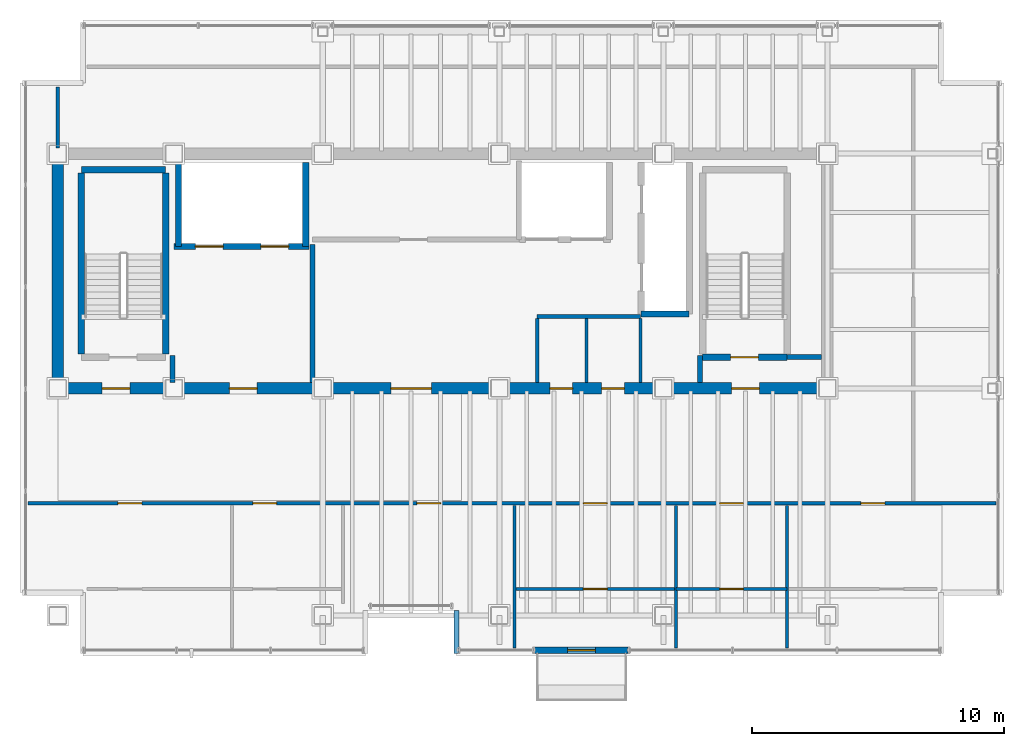
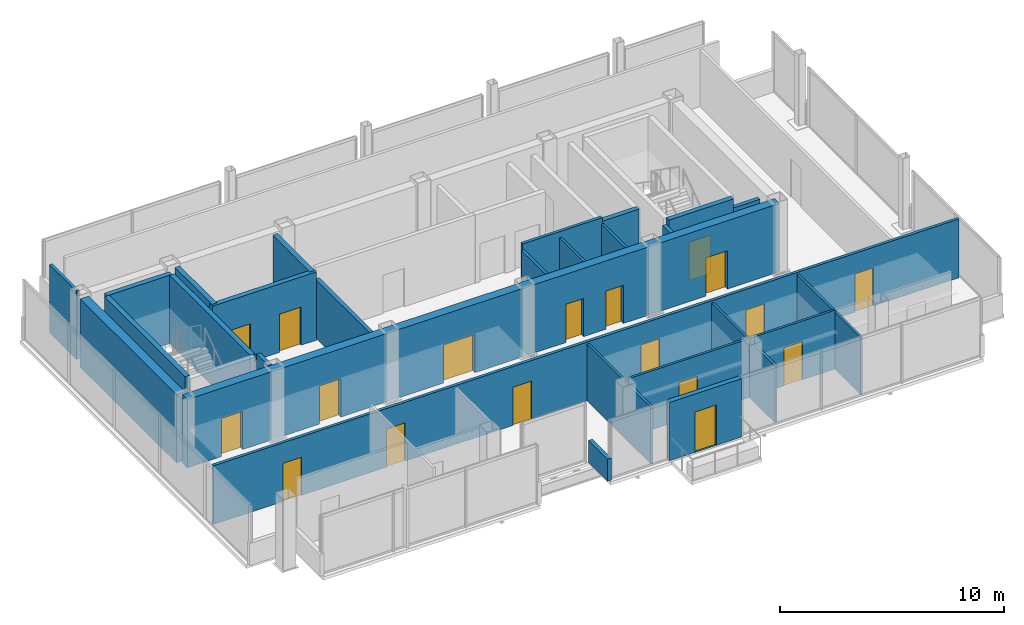
# One storey, part 14 of 17: 27 walls, 18 doors, 18 openings.
"""IFC4 building model written with IfcOpenShell, lengths in metres."""

from ifc_helpers import new_model, si_unit, direction, frame, frame_2d, origin, place, context, subcontext, project, spatial, rectangle, extrude, material, layer, layer_set, type_object, element, fill, save


model = new_model("IFC4")

# Units and contexts
model_context = context("Model", 3, precision=1e-05, world=origin(), true_north=direction((0.0, 1.0)))
body_context = subcontext(model_context, "Body", "Model", "MODEL_VIEW")
ifc_project = project(units=[si_unit("LENGTHUNIT", "METRE"), si_unit("AREAUNIT", "SQUARE_METRE"), si_unit("VOLUMEUNIT", "CUBIC_METRE"), si_unit("PLANEANGLEUNIT", "RADIAN"), si_unit("MASSUNIT", "GRAM", prefix="KILO")], contexts=[model_context])

# Site, building, storey
site_placement = place(None, origin())
site = spatial("IfcSite", under=ifc_project, at=site_placement, CompositionType="ELEMENT")
building_placement = place(site_placement, origin())
building = spatial("IfcBuilding", under=site, at=building_placement, Name="Noeulbin Bourse Tower", CompositionType="ELEMENT")
storey_placement = place(building_placement, frame((0.0, 0.0, 293.0)))
storey = spatial("IfcBuildingStorey", under=building, at=storey_placement, Name="L73", CompositionType="ELEMENT", Elevation=293.0)

# Wall, openings, doors
ifc_material_1 = material(Name="Concrete C50/60", Category="concrete")
ifc_layer_1 = layer(ifc_material_1, 0.449951171875)
ifc_layer_set_1 = layer_set([ifc_layer_1], Name="Concrete C50/60")
wall_type_1 = type_object("IfcWallType", Name="WAL-CORE-450", PredefinedType="SHEAR", material=ifc_layer_set_1)
wall_1_placement = place(storey_placement, frame((13.5, 29.0, 0.0), z_axis=(0.0, 0.0, 1.0), x_axis=(1.0, 0.0, 0.0)))
wall_1 = element("IfcWall", 1, at=wall_1_placement, inside=storey, type_object=wall_type_1, Name="Rear Core South Shear Wall L73", PredefinedType="SHEAR", context=body_context, shape_type="SweptSolid", body=[
    extrude(rectangle(XDim=30.5, YDim=0.449951171875, at=frame_2d((15.25, 0.0))), origin(), (0.0, 0.0, 1.0), 3.719970703125),
])
opening_1_placement = place(wall_1_placement, frame((1.75, 0.0, 0.0)))
opening_1 = element("IfcOpeningElement", 2, at=opening_1_placement, cuts=wall_1, Name="Opening FD-11", PredefinedType="OPENING", context=body_context, shape_type="SweptSolid", body=[
    extrude(rectangle(XDim=1.10009765625, YDim=2.080078125, at=frame_2d((0.550048828125, 1.0400390625))), frame((0.0, 0.23486328125, 0.0), z_axis=(0.0, -1.0, 0.0), x_axis=(1.0, 0.0, 0.0)), (0.0, 0.0, 1.0), 0.469970703125),
])
opening_2_placement = place(wall_1_placement, frame((26.699951171875, 0.0, 0.0)))
opening_2 = element("IfcOpeningElement", 3, at=opening_2_placement, cuts=wall_1, Name="Opening FD-11", PredefinedType="OPENING", context=body_context, shape_type="SweptSolid", body=[
    extrude(rectangle(XDim=1.10009765625, YDim=2.080078125, at=frame_2d((0.550048828125, 1.0400390625))), frame((0.0, 0.23486328125, 0.0), z_axis=(0.0, -1.0, 0.0), x_axis=(1.0, 0.0, 0.0)), (0.0, 0.0, 1.0), 0.469970703125),
])
opening_3_placement = place(wall_1_placement, frame((6.800048828125, 0.0, 0.0)))
opening_3 = element("IfcOpeningElement", 4, at=opening_3_placement, cuts=wall_1, Name="Opening FD-11", PredefinedType="OPENING", context=body_context, shape_type="SweptSolid", body=[
    extrude(rectangle(XDim=1.10009765625, YDim=2.080078125, at=frame_2d((0.550048828125, 1.0400390625))), frame((0.0, 0.23486328125, 0.0), z_axis=(0.0, -1.0, 0.0), x_axis=(1.0, 0.0, 0.0)), (0.0, 0.0, 1.0), 0.469970703125),
])
opening_4_placement = place(wall_1_placement, frame((13.199951171875, 0.0, 0.0)))
opening_4 = element("IfcOpeningElement", 5, at=opening_4_placement, cuts=wall_1, Name="Opening ID-16", PredefinedType="OPENING", context=body_context, shape_type="SweptSolid", body=[
    extrude(rectangle(XDim=1.60009765625, YDim=2.080078125, at=frame_2d((0.800048828125, 1.0400390625))), frame((0.0, 0.23486328125, 0.0), z_axis=(0.0, -1.0, 0.0), x_axis=(1.0, 0.0, 0.0)), (0.0, 0.0, 1.0), 0.469970703125),
])
opening_5_placement = place(wall_1_placement, frame((19.5, 0.0, 0.0)))
opening_5 = element("IfcOpeningElement", 6, at=opening_5_placement, cuts=wall_1, Name="Opening FD-09", PredefinedType="OPENING", context=body_context, shape_type="SweptSolid", body=[
    extrude(rectangle(XDim=0.89990234375, YDim=2.080078125, at=frame_2d((0.449951171875, 1.0400390625))), frame((0.0, 0.23486328125, 0.0), z_axis=(0.0, -1.0, 0.0), x_axis=(1.0, 0.0, 0.0)), (0.0, 0.0, 1.0), 0.469970703125),
])
opening_6_placement = place(wall_1_placement, frame((21.550048828125, 0.0, 0.0)))
opening_6 = element("IfcOpeningElement", 7, at=opening_6_placement, cuts=wall_1, Name="Opening FD-09", PredefinedType="OPENING", context=body_context, shape_type="SweptSolid", body=[
    extrude(rectangle(XDim=0.89990234375, YDim=2.080078125, at=frame_2d((0.449951171875, 1.0400390625))), frame((0.0, 0.23486328125, 0.0), z_axis=(0.0, -1.0, 0.0), x_axis=(1.0, 0.0, 0.0)), (0.0, 0.0, 1.0), 0.469970703125),
])
ifc_material_2 = material(Name="Acoustic Glazed Aluminium", Category="aluminium")
door_type_1 = type_object("IfcDoorType", Name="DR-DBL-1600", OperationType="DOUBLE_DOOR_SINGLE_SWING", PredefinedType="DOOR", material=ifc_material_2)
door_1_placement = place(opening_4_placement, origin())
door_1 = element("IfcDoor", 8, at=door_1_placement, inside=storey, type_object=door_type_1, Name="Passenger Lift Lobby Portal L73", OperationType="DOUBLE_DOOR_SINGLE_SWING", OverallHeight=2.080078125, OverallWidth=1.60009765625, PredefinedType="DOOR", context=body_context, shape_type="SweptSolid", body=[
    extrude(rectangle(XDim=1.60009765625, YDim=2.080078125, at=frame_2d((0.800048828125, 1.0400390625))), frame((0.0, 0.02490234375, 0.0), z_axis=(0.0, -1.0, 0.0), x_axis=(1.0, 0.0, 0.0)), (0.0, 0.0, 1.0), 0.050048828125),
])
fill(opening_4, door_1)
ifc_material_3 = material(Name="Fire-Rated Timber Core", Category="wood")
door_type_2 = type_object("IfcDoorType", Name="DR-FD30-900", OperationType="SINGLE_SWING_RIGHT", PredefinedType="DOOR", material=ifc_material_3)
door_2_placement = place(opening_5_placement, origin())
door_2 = element("IfcDoor", 9, at=door_2_placement, inside=storey, type_object=door_type_2, Name="Interior Door L73-06", OperationType="SINGLE_SWING_RIGHT", OverallHeight=2.080078125, OverallWidth=0.89990234375, PredefinedType="DOOR", context=body_context, shape_type="SweptSolid", body=[
    extrude(rectangle(XDim=0.89990234375, YDim=2.080078125, at=frame_2d((0.449951171875, 1.0400390625))), frame((0.0, 0.02490234375, 0.0), z_axis=(0.0, -1.0, 0.0), x_axis=(1.0, 0.0, 0.0)), (0.0, 0.0, 1.0), 0.050048828125),
])
fill(opening_5, door_2)
door_3_placement = place(opening_6_placement, origin())
door_3 = element("IfcDoor", 10, at=door_3_placement, inside=storey, type_object=door_type_2, Name="Interior Door L73-07", OperationType="SINGLE_SWING_LEFT", OverallHeight=2.080078125, OverallWidth=0.89990234375, PredefinedType="DOOR", context=body_context, shape_type="SweptSolid", body=[
    extrude(rectangle(XDim=0.89990234375, YDim=2.080078125, at=frame_2d((0.449951171875, 1.0400390625))), frame((0.0, 0.02490234375, 0.0), z_axis=(0.0, -1.0, 0.0), x_axis=(1.0, 0.0, 0.0)), (0.0, 0.0, 1.0), 0.050048828125),
])
fill(opening_6, door_3)
ifc_material_4 = material(Name="Fire-Rated Insulated Steel", Category="steel")
door_type_3 = type_object("IfcDoorType", Name="DR-FD60-1100", OperationType="SINGLE_SWING_LEFT", PredefinedType="DOOR", material=ifc_material_4)
door_4_placement = place(opening_1_placement, origin())
door_4 = element("IfcDoor", 11, at=door_4_placement, inside=storey, type_object=door_type_3, Name="West Stair Lobby Door L73", OperationType="SINGLE_SWING_LEFT", OverallHeight=2.080078125, OverallWidth=1.10009765625, PredefinedType="DOOR", context=body_context, shape_type="SweptSolid", body=[
    extrude(rectangle(XDim=1.10009765625, YDim=2.080078125, at=frame_2d((0.550048828125, 1.0400390625))), frame((0.0, 0.02490234375, 0.0), z_axis=(0.0, -1.0, 0.0), x_axis=(1.0, 0.0, 0.0)), (0.0, 0.0, 1.0), 0.050048828125),
])
fill(opening_1, door_4)
door_5_placement = place(opening_2_placement, origin())
door_5 = element("IfcDoor", 12, at=door_5_placement, inside=storey, type_object=door_type_3, Name="East Stair Lobby Door L73", OperationType="SINGLE_SWING_RIGHT", OverallHeight=2.080078125, OverallWidth=1.10009765625, PredefinedType="DOOR", context=body_context, shape_type="SweptSolid", body=[
    extrude(rectangle(XDim=1.10009765625, YDim=2.080078125, at=frame_2d((0.550048828125, 1.0400390625))), frame((0.0, 0.02490234375, 0.0), z_axis=(0.0, -1.0, 0.0), x_axis=(1.0, 0.0, 0.0)), (0.0, 0.0, 1.0), 0.050048828125),
])
fill(opening_2, door_5)
door_6_placement = place(opening_3_placement, origin())
door_6 = element("IfcDoor", 13, at=door_6_placement, inside=storey, type_object=door_type_3, Name="Firefighting Lobby Door L73", OperationType="SINGLE_SWING_LEFT", OverallHeight=2.080078125, OverallWidth=1.10009765625, PredefinedType="DOOR", context=body_context, shape_type="SweptSolid", body=[
    extrude(rectangle(XDim=1.10009765625, YDim=2.080078125, at=frame_2d((0.550048828125, 1.0400390625))), frame((0.0, 0.02490234375, 0.0), z_axis=(0.0, -1.0, 0.0), x_axis=(1.0, 0.0, 0.0)), (0.0, 0.0, 1.0), 0.050048828125),
])
fill(opening_3, door_6)

# Wall
wall_2_placement = place(storey_placement, frame((13.5, 29.35009765625, 0.0), z_axis=(0.0, 0.0, 1.0), x_axis=(0.0, 1.0, 0.0)))
element("IfcWall", 14, at=wall_2_placement, inside=storey, type_object=wall_type_1, Name="Rear Core West Shear Wall L73", PredefinedType="SHEAR", context=body_context, shape_type="SweptSolid", body=[
    extrude(rectangle(XDim=8.599853515625, YDim=0.449951171875, at=frame_2d((4.2998046875, 0.0))), origin(), (0.0, 0.0, 1.0), 3.719970703125),
])

# Wall, opening, door
ifc_material_5 = material(Name="Precast Concrete C40/50", Category="concrete")
ifc_layer_2 = layer(ifc_material_5, 0.25)
ifc_layer_set_2 = layer_set([ifc_layer_2], Name="Precast Concrete C40/50")
wall_type_2 = type_object("IfcWallType", Name="WAL-EXT-250", PredefinedType="STANDARD", material=ifc_layer_set_2)
wall_3_placement = place(storey_placement, frame((32.39990234375, 18.6201171875, 0.0), z_axis=(0.0, 0.0, 1.0), x_axis=(1.0, 0.0, 0.0)))
wall_3 = element("IfcWall", 15, at=wall_3_placement, inside=storey, type_object=wall_type_2, Name="Balcony Threshold Wall L73", PredefinedType="STANDARD", context=body_context, shape_type="SweptSolid", body=[
    extrude(rectangle(XDim=3.7001953125, YDim=0.25, at=frame_2d((1.85009765625, 0.0))), origin(), (0.0, 0.0, 1.0), 3.179931640625),
])
opening_7_placement = place(wall_3_placement, frame((1.300048828125, 0.0, 0.0)))
opening_7 = element("IfcOpeningElement", 16, at=opening_7_placement, cuts=wall_3, Name="Opening BD-11", PredefinedType="OPENING", context=body_context, shape_type="SweptSolid", body=[
    extrude(rectangle(XDim=1.10009765625, YDim=2.199951171875, at=frame_2d((0.550048828125, 1.10009765625))), frame((0.0, 0.135009765625, 0.0), z_axis=(0.0, -1.0, 0.0), x_axis=(1.0, 0.0, 0.0)), (0.0, 0.0, 1.0), 0.27001953125),
])
ifc_material_6 = material(Name="Thermally Broken Aluminium Framed Glass", Category="aluminium")
door_type_4 = type_object("IfcDoorType", Name="DR-BAL-1100", OperationType="SINGLE_SWING_LEFT", PredefinedType="DOOR", material=ifc_material_6)
door_7_placement = place(opening_7_placement, origin())
door_7 = element("IfcDoor", 17, at=door_7_placement, inside=storey, type_object=door_type_4, Name="Tree-Balcony Access Door BD-L73", OperationType="SINGLE_SWING_LEFT", OverallHeight=2.199951171875, OverallWidth=1.10009765625, PredefinedType="DOOR", context=body_context, shape_type="SweptSolid", body=[
    extrude(rectangle(XDim=1.10009765625, YDim=2.199951171875, at=frame_2d((0.550048828125, 1.10009765625))), frame((0.0, 0.02490234375, 0.0), z_axis=(0.0, -1.0, 0.0), x_axis=(1.0, 0.0, 0.0)), (0.0, 0.0, 1.0), 0.050048828125),
])
fill(opening_7, door_7)

# Walls
ifc_material_7 = material(Name="Concrete C40/50", Category="concrete")
ifc_layer_3 = layer(ifc_material_7, 0.199951171875)
ifc_layer_set_3 = layer_set([ifc_layer_3], Name="Concrete C40/50")
wall_type_3 = type_object("IfcWallType", Name="WAL-FIRE-200", PredefinedType="STANDARD", material=ifc_layer_set_3)
wall_4_placement = place(storey_placement, frame((42.39990234375, 30.239990234375, 0.0), z_axis=(0.0, 0.0, 1.0), x_axis=(1.0, 0.0, 0.0)))
element("IfcWall", 18, at=wall_4_placement, inside=storey, type_object=wall_type_3, Name="Interior Partition Wall L73-01", PredefinedType="STANDARD", context=body_context, shape_type="SweptSolid", body=[
    extrude(rectangle(XDim=1.364990234375, YDim=0.199951171875, at=frame_2d((0.6826171875, 0.0))), origin(), (0.0, 0.0, 1.0), 3.199951171875),
])
wall_5_placement = place(storey_placement, frame((18.050048828125, 29.235107421875, 0.0), z_axis=(0.0, 0.0, 1.0), x_axis=(0.0, 1.0, 0.0)))
element("IfcWall", 19, at=wall_5_placement, inside=storey, type_object=wall_type_3, Name="Interior Partition Wall L73-11", PredefinedType="STANDARD", context=body_context, shape_type="SweptSolid", body=[
    extrude(rectangle(XDim=1.06494140625, YDim=0.199951171875, at=frame_2d((0.532470703125, 0.0))), origin(), (0.0, 0.0, 1.0), 3.719970703125),
])
wall_6_placement = place(storey_placement, frame((38.949951171875, 29.235107421875, 0.0), z_axis=(0.0, 0.0, 1.0), x_axis=(0.0, 1.0, 0.0)))
element("IfcWall", 20, at=wall_6_placement, inside=storey, type_object=wall_type_3, Name="Interior Partition Wall L73-12", PredefinedType="STANDARD", context=body_context, shape_type="SweptSolid", body=[
    extrude(rectangle(XDim=1.06494140625, YDim=0.199951171875, at=frame_2d((0.532470703125, 0.0))), origin(), (0.0, 0.0, 1.0), 3.39990234375),
])
wall_7_placement = place(storey_placement, frame((23.60009765625, 29.235107421875, 0.0), z_axis=(0.0, 0.0, 1.0), x_axis=(0.0, 1.0, 0.0)))
element("IfcWall", 21, at=wall_7_placement, inside=storey, type_object=wall_type_3, Name="Interior Partition Wall L73-13", PredefinedType="STANDARD", context=body_context, shape_type="SweptSolid", body=[
    extrude(rectangle(XDim=5.46484375, YDim=0.199951171875, at=frame_2d((2.732421875, 0.0))), origin(), (0.0, 0.0, 1.0), 3.199951171875),
])
ifc_layer_4 = layer(ifc_material_7, 0.199951171875)
ifc_layer_set_4 = layer_set([ifc_layer_4], Name="Concrete C40/50")
wall_type_4 = type_object("IfcWallType", Name="WAL-PAR-200", PredefinedType="PARAPET", material=ifc_layer_set_4)
wall_8_placement = place(storey_placement, frame((29.300048828125, 20.199951171875, 0.0), z_axis=(0.0, 0.0, 1.0), x_axis=(0.0, -1.0, 0.0)))
element("IfcWall", 22, at=wall_8_placement, inside=storey, type_object=wall_type_4, Name="Sky-Garden Recess Parapet L73-E", PredefinedType="PARAPET", context=body_context, shape_type="SweptSolid", body=[
    extrude(rectangle(XDim=1.699951171875, YDim=0.199951171875, at=frame_2d((0.85009765625, 0.0))), origin(), (0.0, 0.0, 1.0), 1.199951171875),
])

# Wall, opening, door
ifc_material_8 = material(Name="Steel Stud Gypsum Partition", Category="steel")
ifc_layer_5 = layer(ifc_material_8, 0.1201171875)
ifc_layer_set_5 = layer_set([ifc_layer_5], Name="Steel Stud Gypsum Partition")
wall_type_5 = type_object("IfcWallType", Name="WAL-PRT-120", PredefinedType="PARTITIONING", material=ifc_layer_set_5)
wall_9_placement = place(storey_placement, frame((31.60009765625, 21.050048828125, 0.0), z_axis=(0.0, 0.0, 1.0), x_axis=(1.0, 0.0, 0.0)))
wall_9 = element("IfcWall", 23, at=wall_9_placement, inside=storey, type_object=wall_type_5, Name="Interior Partition Wall L73-07", PredefinedType="PARTITIONING", context=body_context, shape_type="SweptSolid", body=[
    extrude(rectangle(XDim=6.39990234375, YDim=0.1201171875, at=frame_2d((3.199951171875, 0.0))), origin(), (0.0, 0.0, 1.0), 3.199951171875),
])
opening_8_placement = place(wall_9_placement, frame((2.72509765625, 0.0, 0.0)))
opening_8 = element("IfcOpeningElement", 24, at=opening_8_placement, cuts=wall_9, Name="Opening ID-09", PredefinedType="OPENING", context=body_context, shape_type="SweptSolid", body=[
    extrude(rectangle(XDim=0.949951171875, YDim=2.080078125, at=frame_2d((0.47509765625, 1.0400390625))), frame((0.0, 0.070068359375, 0.0), z_axis=(0.0, -1.0, 0.0), x_axis=(1.0, 0.0, 0.0)), (0.0, 0.0, 1.0), 0.14013671875),
])
ifc_material_9 = material(Name="Acoustic Solid-Core Timber", Category="wood")
door_type_5 = type_object("IfcDoorType", Name="DR-SINGLE-950", OperationType="SINGLE_SWING_LEFT", PredefinedType="DOOR", material=ifc_material_9)
door_8_placement = place(opening_8_placement, origin())
door_8 = element("IfcDoor", 25, at=door_8_placement, inside=storey, type_object=door_type_5, Name="Interior Door L73-13", OperationType="SINGLE_SWING_LEFT", OverallHeight=2.080078125, OverallWidth=0.949951171875, PredefinedType="DOOR", context=body_context, shape_type="SweptSolid", body=[
    extrude(rectangle(XDim=0.949951171875, YDim=2.080078125, at=frame_2d((0.47509765625, 1.0400390625))), frame((0.0, 0.02490234375, 0.0), z_axis=(0.0, -1.0, 0.0), x_axis=(1.0, 0.0, 0.0)), (0.0, 0.0, 1.0), 0.050048828125),
])
fill(opening_8, door_8)

wall_10_placement = place(storey_placement, frame((38.0, 21.050048828125, 0.0), z_axis=(0.0, 0.0, 1.0), x_axis=(1.0, 0.0, 0.0)))
wall_10 = element("IfcWall", 26, at=wall_10_placement, inside=storey, type_object=wall_type_5, Name="Interior Partition Wall L73-08", PredefinedType="PARTITIONING", context=body_context, shape_type="SweptSolid", body=[
    extrude(rectangle(XDim=4.39990234375, YDim=0.1201171875, at=frame_2d((2.199951171875, 0.0))), origin(), (0.0, 0.0, 1.0), 3.199951171875),
])
opening_9_placement = place(wall_10_placement, frame((1.72509765625, 0.0, 0.0)))
opening_9 = element("IfcOpeningElement", 27, at=opening_9_placement, cuts=wall_10, Name="Opening ID-09", PredefinedType="OPENING", context=body_context, shape_type="SweptSolid", body=[
    extrude(rectangle(XDim=0.949951171875, YDim=2.080078125, at=frame_2d((0.47509765625, 1.0400390625))), frame((0.0, 0.070068359375, 0.0), z_axis=(0.0, -1.0, 0.0), x_axis=(1.0, 0.0, 0.0)), (0.0, 0.0, 1.0), 0.14013671875),
])
door_9_placement = place(opening_9_placement, origin())
door_9 = element("IfcDoor", 28, at=door_9_placement, inside=storey, type_object=door_type_5, Name="Interior Door L73-15", OperationType="SINGLE_SWING_LEFT", OverallHeight=2.080078125, OverallWidth=0.949951171875, PredefinedType="DOOR", context=body_context, shape_type="SweptSolid", body=[
    extrude(rectangle(XDim=0.949951171875, YDim=2.080078125, at=frame_2d((0.47509765625, 1.0400390625))), frame((0.0, 0.02490234375, 0.0), z_axis=(0.0, -1.0, 0.0), x_axis=(1.0, 0.0, 0.0)), (0.0, 0.0, 1.0), 0.050048828125),
])
fill(opening_9, door_9)

# Walls
for number, where, z_axis, x_axis, name in (
    (29, (36.60009765625, 29.235107421875, 0.0), (0.0, 0.0, 1.0), (0.0, 1.0, 0.0), "Interior Partition Wall L73-15"),
    (30, (34.449951171875, 29.235107421875, 0.0), (0.0, 0.0, 1.0), (0.0, 1.0, 0.0), "Interior Partition Wall L73-16"),
):
    element("IfcWall", number, at=place(storey_placement, frame(where, z_axis=z_axis, x_axis=x_axis)), inside=storey, type_object=wall_type_5, Name=name, PredefinedType="PARTITIONING", context=body_context, shape_type="SweptSolid", body=[
        extrude(rectangle(XDim=2.52978515625, YDim=0.1201171875, at=frame_2d((1.264892578125, 0.0))), origin(), (0.0, 0.0, 1.0), 3.39990234375),
    ])
for number, where, z_axis, x_axis, name in (
    (31, (31.60009765625, 18.7099609375, 0.0), (0.0, 0.0, 1.0), (0.0, 1.0, 0.0), "Interior Partition Wall L73-20"),
    (32, (38.0, 18.7099609375, 0.0), (0.0, 0.0, 1.0), (0.0, 1.0, 0.0), "Interior Partition Wall L73-21"),
    (33, (42.39990234375, 18.7099609375, 0.0), (0.0, 0.0, 1.0), (0.0, 1.0, 0.0), "Interior Partition Wall L73-22"),
):
    element("IfcWall", number, at=place(storey_placement, frame(where, z_axis=z_axis, x_axis=x_axis)), inside=storey, type_object=wall_type_5, Name=name, PredefinedType="PARTITIONING", context=body_context, shape_type="SweptSolid", body=[
        extrude(rectangle(XDim=5.655029296875, YDim=0.1201171875, at=frame_2d((2.82763671875, 0.0))), origin(), (0.0, 0.0, 1.0), 3.10009765625),
    ])
ifc_material_10 = material(Name="Steel Stud Acoustic Gypsum Board", Category="steel")
ifc_layer_6 = layer(ifc_material_10, 0.14990234375)
ifc_layer_set_6 = layer_set([ifc_layer_6], Name="Steel Stud Acoustic Gypsum Board")
wall_type_6 = type_object("IfcWallType", Name="WAL-PRT-150", PredefinedType="PARTITIONING", material=ifc_layer_set_6)
wall_11_placement = place(storey_placement, frame((32.5, 31.85009765625, 0.0), z_axis=(0.0, 0.0, 1.0), x_axis=(1.0, 0.0, 0.0)))
element("IfcWall", 34, at=wall_11_placement, inside=storey, type_object=wall_type_6, Name="Interior Partition Wall L73-03", PredefinedType="PARTITIONING", context=body_context, shape_type="SweptSolid", body=[
    extrude(rectangle(XDim=4.10009765625, YDim=0.14990234375, at=frame_2d((2.050048828125, 0.0))), origin(), (0.0, 0.0, 1.0), 3.719970703125),
])

# Wall, openings, doors
wall_12_placement = place(storey_placement, frame((12.31005859375, 24.449951171875, 0.0), z_axis=(0.0, 0.0, 1.0), x_axis=(1.0, 0.0, 0.0)))
wall_12 = element("IfcWall", 35, at=wall_12_placement, inside=storey, type_object=wall_type_6, Name="Interior Partition Wall L73-04", PredefinedType="PARTITIONING", context=body_context, shape_type="SweptSolid", body=[
    extrude(rectangle(XDim=38.3798828125, YDim=0.14990234375, at=frame_2d((19.18994140625, 0.0))), origin(), (0.0, 0.0, 1.0), 3.199951171875),
])
opening_10_placement = place(wall_12_placement, frame((3.570068359375, 0.0, 0.0)))
opening_10 = element("IfcOpeningElement", 36, at=opening_10_placement, cuts=wall_12, Name="Opening ID-09", PredefinedType="OPENING", context=body_context, shape_type="SweptSolid", body=[
    extrude(rectangle(XDim=0.949951171875, YDim=2.080078125, at=frame_2d((0.47509765625, 1.0400390625))), frame((0.0, 0.0849609375, 0.0), z_axis=(0.0, -1.0, 0.0), x_axis=(1.0, 0.0, 0.0)), (0.0, 0.0, 1.0), 0.169921875),
])
opening_11_placement = place(wall_12_placement, frame((8.9150390625, 0.0, 0.0)))
opening_11 = element("IfcOpeningElement", 37, at=opening_11_placement, cuts=wall_12, Name="Opening ID-09", PredefinedType="OPENING", context=body_context, shape_type="SweptSolid", body=[
    extrude(rectangle(XDim=0.949951171875, YDim=2.080078125, at=frame_2d((0.47509765625, 1.0400390625))), frame((0.0, 0.0849609375, 0.0), z_axis=(0.0, -1.0, 0.0), x_axis=(1.0, 0.0, 0.0)), (0.0, 0.0, 1.0), 0.169921875),
])
opening_12_placement = place(wall_12_placement, frame((15.4150390625, 0.0, 0.0)))
opening_12 = element("IfcOpeningElement", 38, at=opening_12_placement, cuts=wall_12, Name="Opening ID-09", PredefinedType="OPENING", context=body_context, shape_type="SweptSolid", body=[
    extrude(rectangle(XDim=0.949951171875, YDim=2.080078125, at=frame_2d((0.47509765625, 1.0400390625))), frame((0.0, 0.0849609375, 0.0), z_axis=(0.0, -1.0, 0.0), x_axis=(1.0, 0.0, 0.0)), (0.0, 0.0, 1.0), 0.169921875),
])
opening_13_placement = place(wall_12_placement, frame((22.014892578125, 0.0, 0.0)))
opening_13 = element("IfcOpeningElement", 39, at=opening_13_placement, cuts=wall_12, Name="Opening ID-09", PredefinedType="OPENING", context=body_context, shape_type="SweptSolid", body=[
    extrude(rectangle(XDim=0.949951171875, YDim=2.080078125, at=frame_2d((0.47509765625, 1.0400390625))), frame((0.0, 0.0849609375, 0.0), z_axis=(0.0, -1.0, 0.0), x_axis=(1.0, 0.0, 0.0)), (0.0, 0.0, 1.0), 0.169921875),
])
opening_14_placement = place(wall_12_placement, frame((27.4150390625, 0.0, 0.0)))
opening_14 = element("IfcOpeningElement", 40, at=opening_14_placement, cuts=wall_12, Name="Opening ID-09", PredefinedType="OPENING", context=body_context, shape_type="SweptSolid", body=[
    extrude(rectangle(XDim=0.949951171875, YDim=2.080078125, at=frame_2d((0.47509765625, 1.0400390625))), frame((0.0, 0.0849609375, 0.0), z_axis=(0.0, -1.0, 0.0), x_axis=(1.0, 0.0, 0.0)), (0.0, 0.0, 1.0), 0.169921875),
])
opening_15_placement = place(wall_12_placement, frame((33.014892578125, 0.0, 0.0)))
opening_15 = element("IfcOpeningElement", 41, at=opening_15_placement, cuts=wall_12, Name="Opening ID-09", PredefinedType="OPENING", context=body_context, shape_type="SweptSolid", body=[
    extrude(rectangle(XDim=0.949951171875, YDim=2.080078125, at=frame_2d((0.47509765625, 1.0400390625))), frame((0.0, 0.0849609375, 0.0), z_axis=(0.0, -1.0, 0.0), x_axis=(1.0, 0.0, 0.0)), (0.0, 0.0, 1.0), 0.169921875),
])
door_10_placement = place(opening_10_placement, origin())
door_10 = element("IfcDoor", 42, at=door_10_placement, inside=storey, type_object=door_type_5, Name="Interior Door L73-09", OperationType="SINGLE_SWING_LEFT", OverallHeight=2.080078125, OverallWidth=0.949951171875, PredefinedType="DOOR", context=body_context, shape_type="SweptSolid", body=[
    extrude(rectangle(XDim=0.949951171875, YDim=2.080078125, at=frame_2d((0.47509765625, 1.0400390625))), frame((0.0, 0.02490234375, 0.0), z_axis=(0.0, -1.0, 0.0), x_axis=(1.0, 0.0, 0.0)), (0.0, 0.0, 1.0), 0.050048828125),
])
fill(opening_10, door_10)
door_11_placement = place(opening_11_placement, origin())
door_11 = element("IfcDoor", 43, at=door_11_placement, inside=storey, type_object=door_type_5, Name="Interior Door L73-11", OperationType="SINGLE_SWING_LEFT", OverallHeight=2.080078125, OverallWidth=0.949951171875, PredefinedType="DOOR", context=body_context, shape_type="SweptSolid", body=[
    extrude(rectangle(XDim=0.949951171875, YDim=2.080078125, at=frame_2d((0.47509765625, 1.0400390625))), frame((0.0, 0.02490234375, 0.0), z_axis=(0.0, -1.0, 0.0), x_axis=(1.0, 0.0, 0.0)), (0.0, 0.0, 1.0), 0.050048828125),
])
fill(opening_11, door_11)
door_12_placement = place(opening_12_placement, origin())
door_12 = element("IfcDoor", 44, at=door_12_placement, inside=storey, type_object=door_type_5, Name="Interior Door L73-12", OperationType="SINGLE_SWING_RIGHT", OverallHeight=2.080078125, OverallWidth=0.949951171875, PredefinedType="DOOR", context=body_context, shape_type="SweptSolid", body=[
    extrude(rectangle(XDim=0.949951171875, YDim=2.080078125, at=frame_2d((0.47509765625, 1.0400390625))), frame((0.0, 0.02490234375, 0.0), z_axis=(0.0, -1.0, 0.0), x_axis=(1.0, 0.0, 0.0)), (0.0, 0.0, 1.0), 0.050048828125),
])
fill(opening_12, door_12)
door_13_placement = place(opening_13_placement, origin())
door_13 = element("IfcDoor", 45, at=door_13_placement, inside=storey, type_object=door_type_5, Name="Interior Door L73-14", OperationType="SINGLE_SWING_RIGHT", OverallHeight=2.080078125, OverallWidth=0.949951171875, PredefinedType="DOOR", context=body_context, shape_type="SweptSolid", body=[
    extrude(rectangle(XDim=0.949951171875, YDim=2.080078125, at=frame_2d((0.47509765625, 1.0400390625))), frame((0.0, 0.02490234375, 0.0), z_axis=(0.0, -1.0, 0.0), x_axis=(1.0, 0.0, 0.0)), (0.0, 0.0, 1.0), 0.050048828125),
])
fill(opening_13, door_13)
door_14_placement = place(opening_14_placement, origin())
door_14 = element("IfcDoor", 46, at=door_14_placement, inside=storey, type_object=door_type_5, Name="Interior Door L73-16", OperationType="SINGLE_SWING_RIGHT", OverallHeight=2.080078125, OverallWidth=0.949951171875, PredefinedType="DOOR", context=body_context, shape_type="SweptSolid", body=[
    extrude(rectangle(XDim=0.949951171875, YDim=2.080078125, at=frame_2d((0.47509765625, 1.0400390625))), frame((0.0, 0.02490234375, 0.0), z_axis=(0.0, -1.0, 0.0), x_axis=(1.0, 0.0, 0.0)), (0.0, 0.0, 1.0), 0.050048828125),
])
fill(opening_14, door_14)
door_15_placement = place(opening_15_placement, origin())
door_15 = element("IfcDoor", 47, at=door_15_placement, inside=storey, type_object=door_type_5, Name="Interior Door L73-18", OperationType="SINGLE_SWING_RIGHT", OverallHeight=2.080078125, OverallWidth=0.949951171875, PredefinedType="DOOR", context=body_context, shape_type="SweptSolid", body=[
    extrude(rectangle(XDim=0.949951171875, YDim=2.080078125, at=frame_2d((0.47509765625, 1.0400390625))), frame((0.0, 0.02490234375, 0.0), z_axis=(0.0, -1.0, 0.0), x_axis=(1.0, 0.0, 0.0)), (0.0, 0.0, 1.0), 0.050048828125),
])
fill(opening_15, door_15)

# Walls
wall_13_placement = place(storey_placement, frame((32.5, 29.235107421875, 0.0), z_axis=(0.0, 0.0, 1.0), x_axis=(0.0, 1.0, 0.0)))
element("IfcWall", 48, at=wall_13_placement, inside=storey, type_object=wall_type_6, Name="Interior Partition Wall L73-14", PredefinedType="PARTITIONING", context=body_context, shape_type="SweptSolid", body=[
    extrude(rectangle(XDim=2.52978515625, YDim=0.14990234375, at=frame_2d((1.264892578125, 0.0))), origin(), (0.0, 0.0, 1.0), 3.39990234375),
])
wall_14_placement = place(storey_placement, frame((13.5, 38.534912109375, 0.0), z_axis=(0.0, 0.0, 1.0), x_axis=(0.0, 1.0, 0.0)))
element("IfcWall", 49, at=wall_14_placement, inside=storey, type_object=wall_type_6, Name="Interior Partition Wall L73-23", PredefinedType="PARTITIONING", context=body_context, shape_type="SweptSolid", body=[
    extrude(rectangle(XDim=2.405029296875, YDim=0.14990234375, at=frame_2d((1.20263671875, 0.0))), origin(), (0.0, 0.0, 1.0), 3.719970703125),
])
ifc_layer_7 = layer(ifc_material_7, 0.25)
ifc_layer_set_7 = layer_set([ifc_layer_7], Name="Concrete C40/50")
wall_type_7 = type_object("IfcWallType", Name="WAL-SHFT-250", PredefinedType="STANDARD", material=ifc_layer_set_7)
wall_15_placement = place(storey_placement, frame((14.429931640625, 37.6689453125, 0.0), z_axis=(0.0, 0.0, 1.0), x_axis=(1.0, 0.0, 0.0)))
element("IfcWall", 50, at=wall_15_placement, inside=storey, type_object=wall_type_7, Name="Stair ST-1 North Shaft Wall L73", PredefinedType="STANDARD", context=body_context, shape_type="SweptSolid", body=[
    extrude(rectangle(XDim=3.340087890625, YDim=0.25, at=frame_2d((1.669921875, 0.0))), origin(), (0.0, 0.0, 1.0), 3.719970703125),
])
for number, where, z_axis, x_axis, name in (
    (51, (14.425048828125, 30.360107421875, 0.0), (0.0, 0.0, 1.0), (0.0, 1.0, 0.0), "Stair ST-1 West Shaft Wall L73"),
    (52, (17.77490234375, 30.360107421875, 0.0), (0.0, 0.0, 1.0), (0.0, 1.0, 0.0), "Stair ST-1 East Shaft Wall L73"),
):
    element("IfcWall", number, at=place(storey_placement, frame(where, z_axis=z_axis, x_axis=x_axis)), inside=storey, type_object=wall_type_7, Name=name, PredefinedType="STANDARD", context=body_context, shape_type="SweptSolid", body=[
        extrude(rectangle(XDim=7.183837890625, YDim=0.25, at=frame_2d((3.591796875, 0.0))), origin(), (0.0, 0.0, 1.0), 3.719970703125),
    ])

# Wall, opening, door
wall_16_placement = place(storey_placement, frame((39.06005859375, 30.235107421875, 0.0), z_axis=(0.0, 0.0, 1.0), x_axis=(1.0, 0.0, 0.0)))
wall_16 = element("IfcWall", 53, at=wall_16_placement, inside=storey, type_object=wall_type_7, Name="Stair ST-2 South Shaft Wall L73", PredefinedType="STANDARD", context=body_context, shape_type="SweptSolid", body=[
    extrude(rectangle(XDim=3.33984375, YDim=0.25, at=frame_2d((1.669921875, 0.0))), origin(), (0.0, 0.0, 1.0), 3.719970703125),
])
opening_16_placement = place(wall_16_placement, frame((1.10009765625, 0.0, 0.0)))
opening_16 = element("IfcOpeningElement", 54, at=opening_16_placement, cuts=wall_16, Name="Opening FD-11", PredefinedType="OPENING", context=body_context, shape_type="SweptSolid", body=[
    extrude(rectangle(XDim=1.10009765625, YDim=2.080078125, at=frame_2d((0.550048828125, 1.0400390625))), frame((0.0, 0.135009765625, 0.0), z_axis=(0.0, -1.0, 0.0), x_axis=(1.0, 0.0, 0.0)), (0.0, 0.0, 1.0), 0.27001953125),
])
door_16_placement = place(opening_16_placement, origin())
door_16 = element("IfcDoor", 55, at=door_16_placement, inside=storey, type_object=door_type_3, Name="Protected Stair Entry Door ST2-L73", OperationType="SINGLE_SWING_RIGHT", OverallHeight=2.080078125, OverallWidth=1.10009765625, PredefinedType="DOOR", context=body_context, shape_type="SweptSolid", body=[
    extrude(rectangle(XDim=1.10009765625, YDim=2.080078125, at=frame_2d((0.550048828125, 1.0400390625))), frame((0.0, 0.02490234375, 0.0), z_axis=(0.0, -1.0, 0.0), x_axis=(1.0, 0.0, 0.0)), (0.0, 0.0, 1.0), 0.050048828125),
])
fill(opening_16, door_16)

# Wall, openings, doors
wall_17_placement = place(storey_placement, frame((18.10009765625, 34.6201171875, 0.0), z_axis=(0.0, 0.0, 1.0), x_axis=(1.0, 0.0, 0.0)))
wall_17 = element("IfcWall", 56, at=wall_17_placement, inside=storey, type_object=wall_type_7, Name="Firefighting Lift Shaft Front L73", PredefinedType="STANDARD", context=body_context, shape_type="SweptSolid", body=[
    extrude(rectangle(XDim=5.349853515625, YDim=0.25, at=frame_2d((2.6748046875, 0.0))), origin(), (0.0, 0.0, 1.0), 3.719970703125),
])
opening_17_placement = place(wall_17_placement, frame((0.85009765625, 0.0, 0.0)))
opening_17 = element("IfcOpeningElement", 57, at=opening_17_placement, cuts=wall_17, Name="Opening LD-11", PredefinedType="OPENING", context=body_context, shape_type="SweptSolid", body=[
    extrude(rectangle(XDim=1.10009765625, YDim=2.080078125, at=frame_2d((0.550048828125, 1.0400390625))), frame((0.0, 0.135009765625, 0.0), z_axis=(0.0, -1.0, 0.0), x_axis=(1.0, 0.0, 0.0)), (0.0, 0.0, 1.0), 0.27001953125),
])
opening_18_placement = place(wall_17_placement, frame((3.449951171875, 0.0, 0.0)))
opening_18 = element("IfcOpeningElement", 58, at=opening_18_placement, cuts=wall_17, Name="Opening LD-11", PredefinedType="OPENING", context=body_context, shape_type="SweptSolid", body=[
    extrude(rectangle(XDim=1.10009765625, YDim=2.080078125, at=frame_2d((0.550048828125, 1.0400390625))), frame((0.0, 0.135009765625, 0.0), z_axis=(0.0, -1.0, 0.0), x_axis=(1.0, 0.0, 0.0)), (0.0, 0.0, 1.0), 0.27001953125),
])
ifc_material_11 = material(Name="Brushed Stainless Steel 316", Category="steel")
door_type_6 = type_object("IfcDoorType", Name="DR-LIFT-1100", OperationType="SLIDING_TO_LEFT", PredefinedType="DOOR", material=ifc_material_11)
door_17_placement = place(opening_17_placement, origin())
door_17 = element("IfcDoor", 59, at=door_17_placement, inside=storey, type_object=door_type_6, Name="Lift Landing Door LD-FL-01-L73", OperationType="SLIDING_TO_LEFT", OverallHeight=2.080078125, OverallWidth=1.10009765625, PredefinedType="DOOR", context=body_context, shape_type="SweptSolid", body=[
    extrude(rectangle(XDim=1.10009765625, YDim=2.080078125, at=frame_2d((0.550048828125, 1.0400390625))), frame((0.0, 0.02490234375, 0.0), z_axis=(0.0, -1.0, 0.0), x_axis=(1.0, 0.0, 0.0)), (0.0, 0.0, 1.0), 0.050048828125),
])
fill(opening_17, door_17)
door_18_placement = place(opening_18_placement, origin())
door_18 = element("IfcDoor", 60, at=door_18_placement, inside=storey, type_object=door_type_6, Name="Lift Landing Door LD-FL-02-L73", OperationType="SLIDING_TO_LEFT", OverallHeight=2.080078125, OverallWidth=1.10009765625, PredefinedType="DOOR", context=body_context, shape_type="SweptSolid", body=[
    extrude(rectangle(XDim=1.10009765625, YDim=2.080078125, at=frame_2d((0.550048828125, 1.0400390625))), frame((0.0, 0.02490234375, 0.0), z_axis=(0.0, -1.0, 0.0), x_axis=(1.0, 0.0, 0.0)), (0.0, 0.0, 1.0), 0.050048828125),
])
fill(opening_18, door_18)

# Walls
wall_18_placement = place(storey_placement, frame((36.6201171875, 31.949951171875, 0.0), z_axis=(0.0, 0.0, 1.0), x_axis=(1.0, 0.0, 0.0)))
element("IfcWall", 61, at=wall_18_placement, inside=storey, type_object=wall_type_7, Name="Service Lift South Shaft Wall L73", PredefinedType="STANDARD", context=body_context, shape_type="SweptSolid", body=[
    extrude(rectangle(XDim=1.89990234375, YDim=0.25, at=frame_2d((0.949951171875, 0.0))), origin(), (0.0, 0.0, 1.0), 3.47998046875),
])
for number, where, z_axis, x_axis, name in (
    (62, (18.280029296875, 34.6201171875, 0.0), (0.0, 0.0, 1.0), (0.0, 1.0, 0.0), "Firefighting Lift West Shaft Wall L73"),
    (63, (23.320068359375, 34.6201171875, 0.0), (0.0, 0.0, 1.0), (0.0, 1.0, 0.0), "Firefighting Lift East Shaft Wall L73"),
):
    element("IfcWall", number, at=place(storey_placement, frame(where, z_axis=z_axis, x_axis=x_axis)), inside=storey, type_object=wall_type_7, Name=name, PredefinedType="STANDARD", context=body_context, shape_type="SweptSolid", body=[
        extrude(rectangle(XDim=3.329833984375, YDim=0.25, at=frame_2d((1.6650390625, 0.0))), origin(), (0.0, 0.0, 1.0), 3.719970703125),
    ])

save(model, "model.ifc")
